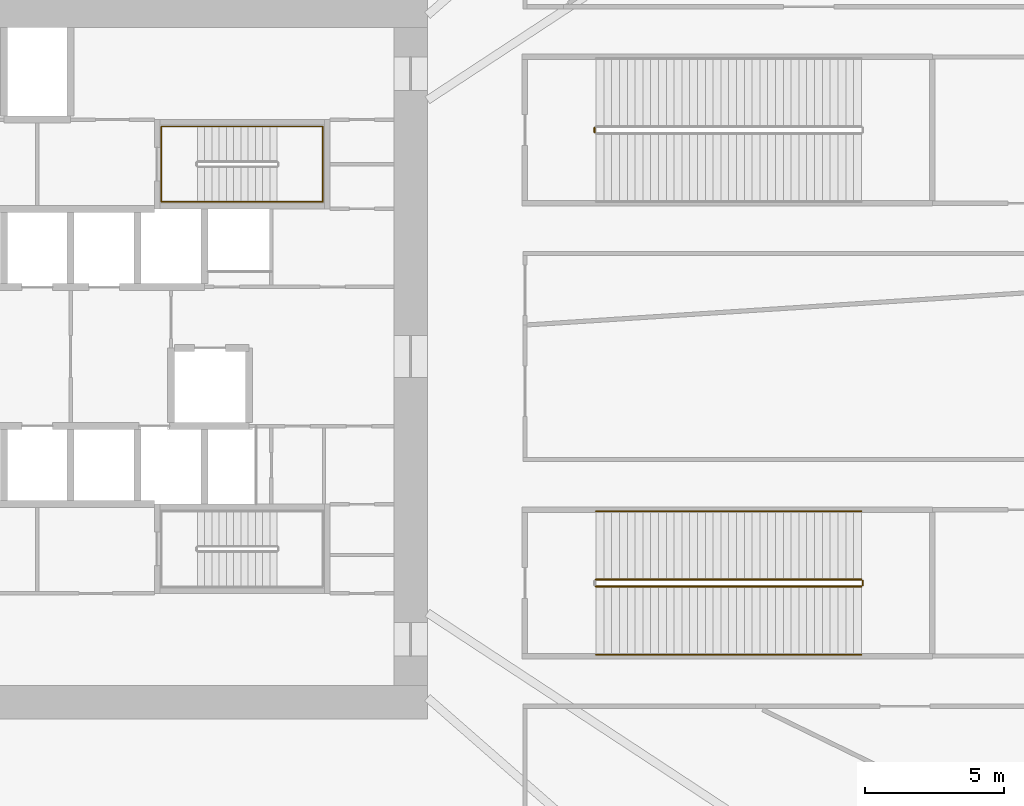
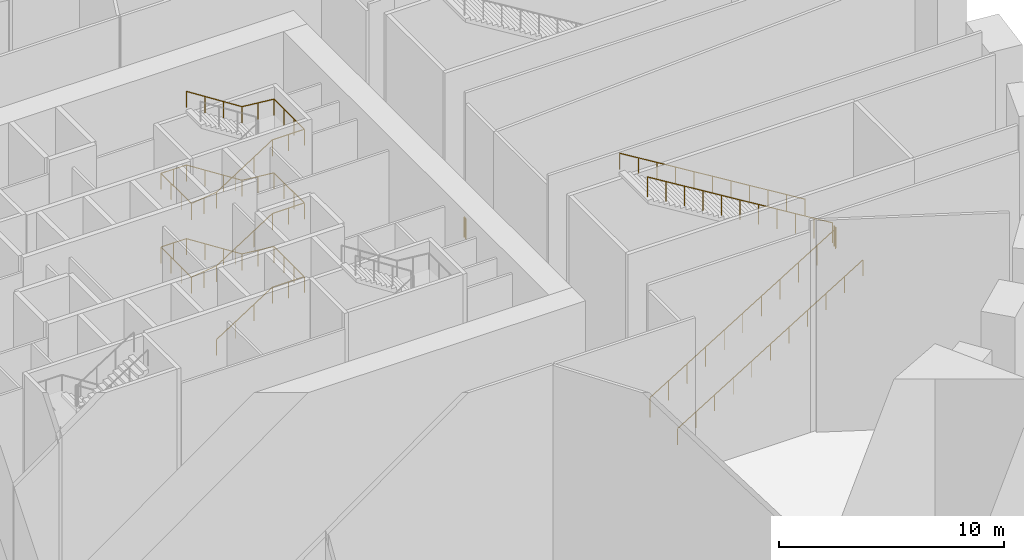
# One storey, part 19 of 21: 7 railings.
"""IFC4 building model written with IfcOpenShell, lengths in metres."""

import ifcopenshell
import ifcopenshell.guid

model = None  # the IFC model being written
_history = None  # IfcOwnerHistory: only IFC2X3 demands one
_inside = {}  # id of a spatial element -> (the spatial element, [elements in it])
_under = {}  # id of a project, library or spatial element -> (it, [spatial elements below it])
_declared = {}  # id of a project -> (the project, [libraries it declares])
_typed = {}  # id of a type object -> (the type object, [elements of that type])
_made_of = {}  # id of a material, layer set ... -> (it, [elements and type objects made of it])


def new_model(schema):
    """Start an empty IFC model of exactly this schema.

    Asked for "IFC4X3", IfcOpenShell would pick the latest addendum, in which some entities
    have other attributes; the version numbers below select the first issue.
    IFC2X3 requires an IfcOwnerHistory on every rooted entity: one is made here for all.
    """
    global model, _history
    if schema == "IFC4X3":
        model = ifcopenshell.file(schema_version=(4, 3, 0, 0))
    else:
        model = ifcopenshell.file(schema=schema)
    _inside.clear()
    _under.clear()
    _declared.clear()
    _typed.clear()
    _made_of.clear()
    _history = None
    if model.schema == "IFC2X3":
        org = make("IfcOrganization", Name="unknown")
        user = make(
            "IfcPersonAndOrganization",
            ThePerson=make("IfcPerson", FamilyName="unknown"),
            TheOrganization=org,
        )
        app = make(
            "IfcApplication",
            ApplicationDeveloper=org,
            Version="unknown",
            ApplicationFullName="unknown",
            ApplicationIdentifier="unknown",
        )
        _history = make(
            "IfcOwnerHistory",
            OwningUser=user,
            OwningApplication=app,
            ChangeAction="ADDED",
            CreationDate=0,
        )
    return model


def make(cls, **values):
    """One entity of the class cls with the attributes given. An attribute that is None is left unset."""
    return model.create_entity(
        cls, **{name: value for name, value in values.items() if value is not None}
    )


def rooted(cls, **values):
    """An entity with a GlobalId (a new one), such as an element, a storey or a relation."""
    return make(cls, GlobalId=ifcopenshell.guid.new(), OwnerHistory=_history, **values)


def si_unit(unit_type, name, prefix=None):
    """IfcSIUnit, for example si_unit("LENGTHUNIT", "METRE", prefix="MILLI")."""
    return make("IfcSIUnit", UnitType=unit_type, Prefix=prefix, Name=name)


def assignment(units):
    """IfcUnitAssignment: the units of a project."""
    return None if units is None else make("IfcUnitAssignment", Units=units)


def point(xyz):
    """IfcCartesianPoint."""
    return None if xyz is None else make("IfcCartesianPoint", Coordinates=xyz)


def direction(xyz):
    """IfcDirection."""
    return None if xyz is None else make("IfcDirection", DirectionRatios=xyz)


def frame(location, z_axis=None, x_axis=None):
    """IfcAxis2Placement3D, a coordinate frame: its origin and axes. An axis left out is left unset."""
    return make(
        "IfcAxis2Placement3D",
        Location=point(location),
        Axis=direction(z_axis),
        RefDirection=direction(x_axis),
    )


def frame_2d(location, x_axis=None):
    """IfcAxis2Placement2D, a coordinate frame in the plane: its origin and x axis."""
    return make(
        "IfcAxis2Placement2D", Location=point(location), RefDirection=direction(x_axis)
    )


def origin():
    """The frame at (0, 0, 0) with its axes left unset."""
    return frame((0.0, 0.0, 0.0))


def origin_2d():
    """The frame at (0, 0) in the plane with its x axis left unset."""
    return frame_2d((0.0, 0.0))


def place(relative_to, where):
    """IfcLocalPlacement: puts the frame where relative to a parent placement (None: the world)."""
    return make(
        "IfcLocalPlacement", PlacementRelTo=relative_to, RelativePlacement=where
    )


def context(
    kind, dimensions, precision=None, world=None, true_north=None, identifier=None
):
    """IfcGeometricRepresentationContext, for example the 3D "Model" context."""
    return make(
        "IfcGeometricRepresentationContext",
        ContextIdentifier=identifier,
        ContextType=kind,
        CoordinateSpaceDimension=dimensions,
        Precision=precision,
        WorldCoordinateSystem=world,
        TrueNorth=true_north,
    )


def subcontext(parent, identifier, kind, view, scale=None):
    """IfcGeometricRepresentationSubContext, for example "Body" below "Model"."""
    return make(
        "IfcGeometricRepresentationSubContext",
        ContextIdentifier=identifier,
        ContextType=kind,
        ParentContext=parent,
        TargetScale=scale,
        TargetView=view,
    )


def project(units=None, contexts=None):
    """IfcProject with its units and contexts."""
    return rooted(
        "IfcProject",
        Name="project",
        RepresentationContexts=contexts,
        UnitsInContext=assignment(units),
    )


def spatial(cls, under=None, at=None, **own):
    """A site, building, storey or space (cls), placed at a placement, below another one or the project."""
    s = rooted(cls, ObjectPlacement=at, **own)
    if under is not None:
        _under.setdefault(under.id(), (under, []))[1].append(s)
    return s


def profile(cls, at=None, kind="AREA", **sizes):
    """A parametric profile (cls). Its sizes go by their IFC names, for example OverallWidth=200.0."""
    return make(cls, ProfileType=kind, Position=at, **sizes)


def circle(**sizes):
    """IfcCircleProfileDef."""
    return profile("IfcCircleProfileDef", **sizes)


def extrude(swept, where, along, depth):
    """IfcExtrudedAreaSolid: the profile swept, set in the frame where, extruded along a direction by depth."""
    return make(
        "IfcExtrudedAreaSolid",
        SweptArea=swept,
        Position=where,
        ExtrudedDirection=direction(along),
        Depth=depth,
    )


def shape(context_of_items, identifier, shape_type, items):
    """IfcShapeRepresentation: the items that make up one representation, for example the "Body"."""
    return make(
        "IfcShapeRepresentation",
        ContextOfItems=context_of_items,
        RepresentationIdentifier=identifier,
        RepresentationType=shape_type,
        Items=items,
    )


def source(mapping_origin, context_of_items, identifier, shape_type, items):
    """IfcRepresentationMap: a shape defined once, which mapped items show again and again."""
    return make(
        "IfcRepresentationMap",
        MappingOrigin=mapping_origin,
        MappedRepresentation=shape(context_of_items, identifier, shape_type, items),
    )


def transform(
    local_origin,
    x_axis=None,
    y_axis=None,
    z_axis=None,
    scale=None,
    scale2=None,
    scale3=None,
    uniform=True,
):
    """IfcCartesianTransformationOperator3D, or its non-uniform kind. x_axis, y_axis, z_axis: its Axis1, 2, 3."""
    if uniform:
        return make(
            "IfcCartesianTransformationOperator3D",
            Axis1=direction(x_axis),
            Axis2=direction(y_axis),
            LocalOrigin=point(local_origin),
            Scale=scale,
            Axis3=direction(z_axis),
        )
    return make(
        "IfcCartesianTransformationOperator3DnonUniform",
        Axis1=direction(x_axis),
        Axis2=direction(y_axis),
        LocalOrigin=point(local_origin),
        Scale=scale,
        Axis3=direction(z_axis),
        Scale2=scale2,
        Scale3=scale3,
    )


def mapped(mapping_source, mapping_target):
    """IfcMappedItem: shows the shape of a source again, moved by a transform."""
    return make(
        "IfcMappedItem", MappingSource=mapping_source, MappingTarget=mapping_target
    )


def material(Name=None, Category=None):
    """IfcMaterial."""
    return make("IfcMaterial", Name=Name, Category=Category)


def made_of(thing, what):
    """Note that an element or type object is made of a material, layer set ...; save() writes the relation."""
    if what is not None:
        _made_of.setdefault(what.id(), (what, []))[1].append(thing)
    return thing


def type_object(cls, material=None, **own):
    """A type object (cls), such as IfcWallType, which elements share."""
    return made_of(rooted(cls, **own), material)


def element(
    cls,
    number,
    at=None,
    inside=None,
    cuts=None,
    type_object=None,
    material=None,
    context=None,
    identifier="Body",
    shape_type=None,
    held_by="IfcProductDefinitionShape",
    body=None,
    shapes=None,
    **own,
):
    """One element of the class cls, such as IfcWall. Its Tag is "e" and its number.

    at: its placement. inside: the storey or other place that contains it. cuts: it is an
    opening in that element (IfcRelVoidsElement). A single representation is given by context,
    identifier, shape_type and body (its items); several are given by shapes. held_by: the class
    of the entity that holds the representations. save() writes the other relations.
    """
    e = rooted(cls, Tag="e%d" % number, ObjectPlacement=at, **own)
    if body is not None:
        shapes = [shape(context, identifier, shape_type, body)]
    if shapes is not None:
        e.Representation = make(held_by, Representations=shapes)
    if inside is not None:
        _inside.setdefault(inside.id(), (inside, []))[1].append(e)
    if cuts is not None:
        rooted(
            "IfcRelVoidsElement", RelatingBuildingElement=cuts, RelatedOpeningElement=e
        )
    if type_object is not None:
        _typed.setdefault(type_object.id(), (type_object, []))[1].append(e)
    return made_of(e, material)


def aggregate(whole, parts):
    """IfcRelAggregates: a whole, such as a stair, and the parts it consists of."""
    return rooted("IfcRelAggregates", RelatingObject=whole, RelatedObjects=parts)


def save(model, path):
    """Write the relations noted so far, then the file.

    IfcRelAggregates (storeys below a building ...), IfcRelContainedInSpatialStructure (elements
    in a storey), IfcRelDefinesByType, IfcRelAssociatesMaterial and IfcRelDeclares: one each for
    every whole, place, type object, material and project.
    """
    for whole, parts in _under.values():
        aggregate(whole, parts)
    for where, things in _inside.values():
        rooted(
            "IfcRelContainedInSpatialStructure",
            RelatedElements=things,
            RelatingStructure=where,
        )
    for kind, things in _typed.values():
        rooted("IfcRelDefinesByType", RelatedObjects=things, RelatingType=kind)
    for what, things in _made_of.values():
        rooted("IfcRelAssociatesMaterial", RelatedObjects=things, RelatingMaterial=what)
    for by, libraries in _declared.values():
        rooted("IfcRelDeclares", RelatingContext=by, RelatedDefinitions=libraries)
    model.write(path)


model = new_model("IFC4")

# Units and contexts
model_context = context("Model", 3, precision=1e-05, world=origin(), true_north=direction((0.0, 1.0)))
body_context = subcontext(model_context, "Body", "Model", "MODEL_VIEW")
ifc_project = project(units=[si_unit("LENGTHUNIT", "METRE"), si_unit("AREAUNIT", "SQUARE_METRE"), si_unit("VOLUMEUNIT", "CUBIC_METRE"), si_unit("PLANEANGLEUNIT", "RADIAN"), si_unit("MASSUNIT", "GRAM", prefix="KILO")], contexts=[model_context])

# Site, building, storey
site_placement = place(None, origin())
site = spatial("IfcSite", under=ifc_project, at=site_placement, CompositionType="ELEMENT")
building_placement = place(site_placement, origin())
building = spatial("IfcBuilding", under=site, at=building_placement, Name="Embergate Tower", CompositionType="ELEMENT")
storey_placement = place(building_placement, frame((0.0, 0.0, 12.0)))
storey = spatial("IfcBuildingStorey", under=building, at=storey_placement, Name="L01", CompositionType="ELEMENT", Elevation=12.0)

# Railings
ifc_material_1 = material(Name="Stair handrail 900")
railing_type_1 = type_object("IfcRailingType", Name="Stair handrail 900", PredefinedType="HANDRAIL", material=ifc_material_1)
shared_shape_1 = source(origin(), body_context, "Body", "SweptSolid", [
    extrude(circle(Radius=0.02392578125, at=origin_2d()), frame((0.0, 0.0, 0.8759765625), z_axis=(0.841899231129, 0.0, 0.539634769658), x_axis=(0.0, 1.0, 0.0)), (0.0, 0.0, 1.0), 3.397216796875),
    extrude(circle(Radius=0.02392578125, at=origin_2d()), frame((2.860107421875, 0.0, 2.708984375), z_axis=(1.0, 0.0, 0.0), x_axis=(0.0, 1.0, 0.0)), (0.0, 0.0, 1.0), 1.639892578125),
    extrude(circle(Radius=0.02392578125, at=origin_2d()), frame((4.5, 0.0, 2.708984375), z_axis=(0.0, 1.0, 0.0), x_axis=(-1.0, 0.0, 0.0)), (0.0, 0.0, 1.0), 2.699951171875),
    extrude(circle(Radius=0.02392578125, at=origin_2d()), frame((4.5, 2.699951171875, 2.708984375), z_axis=(-0.99487010061, 0.0, 0.101160678683), x_axis=(0.0, -1.0, 0.0)), (0.0, 0.0, 1.0), 1.6484375),
    extrude(circle(Radius=0.02392578125, at=origin_2d()), frame((2.860107421875, 2.699951171875, 2.8759765625), z_axis=(-0.841899231129, 0.0, 0.539634769658), x_axis=(0.0, -1.0, 0.0)), (0.0, 0.0, 1.0), 3.397216796875),
    extrude(circle(Radius=0.02392578125, at=origin_2d()), frame((0.0, 2.699951171875, 4.708984375), z_axis=(-1.0, 0.0, 0.0), x_axis=(0.0, -1.0, 0.0)), (0.0, 0.0, 1.0), 1.300048828125),
    extrude(circle(Radius=0.02392578125, at=origin_2d()), frame((-1.300048828125, 2.699951171875, 4.708984375), z_axis=(0.0, -1.0, 0.0), x_axis=(1.0, 0.0, 0.0)), (0.0, 0.0, 1.0), 2.699951171875),
    extrude(circle(Radius=0.02392578125, at=origin_2d()), frame((-1.300048828125, 0.0, 4.708984375), z_axis=(0.991874434073, 0.0, 0.12722070206), x_axis=(0.0, 1.0, 0.0)), (0.0, 0.0, 1.0), 1.310791015625),
    extrude(circle(Radius=0.02392578125, at=origin_2d()), frame((0.0, 0.0, 4.8759765625), z_axis=(0.841899231129, 0.0, 0.539634769658), x_axis=(0.0, 1.0, 0.0)), (0.0, 0.0, 1.0), 3.397216796875),
    extrude(circle(Radius=0.02392578125, at=origin_2d()), frame((2.860107421875, 0.0, 6.708984375), z_axis=(1.0, 0.0, 0.0), x_axis=(0.0, 1.0, 0.0)), (0.0, 0.0, 1.0), 1.639892578125),
    extrude(circle(Radius=0.02392578125, at=origin_2d()), frame((4.5, 0.0, 6.708984375), z_axis=(0.0, 1.0, 0.0), x_axis=(-1.0, 0.0, 0.0)), (0.0, 0.0, 1.0), 2.699951171875),
    extrude(circle(Radius=0.02392578125, at=origin_2d()), frame((4.5, 2.699951171875, 6.708984375), z_axis=(-0.99487010061, 0.0, 0.101160678683), x_axis=(0.0, -1.0, 0.0)), (0.0, 0.0, 1.0), 1.6484375),
    extrude(circle(Radius=0.02392578125, at=origin_2d()), frame((2.860107421875, 2.699951171875, 6.8759765625), z_axis=(-0.841899231129, 0.0, 0.539634769658), x_axis=(0.0, -1.0, 0.0)), (0.0, 0.0, 1.0), 3.397216796875),
    extrude(circle(Radius=0.02392578125, at=origin_2d()), frame((0.0, 2.699951171875, 8.708984375), z_axis=(-1.0, 0.0, 0.0), x_axis=(0.0, -1.0, 0.0)), (0.0, 0.0, 1.0), 1.300048828125),
    extrude(circle(Radius=0.02392578125, at=origin_2d()), frame((-1.300048828125, 2.699951171875, 8.708984375), z_axis=(0.0, -1.0, 0.0), x_axis=(1.0, 0.0, 0.0)), (0.0, 0.0, 1.0), 2.699951171875),
    extrude(circle(Radius=0.02392578125, at=origin_2d()), frame((-1.300048828125, 0.0, 8.708984375), z_axis=(0.991874434073, 0.0, 0.12722070206), x_axis=(0.0, 1.0, 0.0)), (0.0, 0.0, 1.0), 1.310791015625),
    extrude(circle(Radius=0.02392578125, at=origin_2d()), frame((0.0, 0.0, 8.8759765625), z_axis=(0.841899231129, 0.0, 0.539634769658), x_axis=(0.0, 1.0, 0.0)), (0.0, 0.0, 1.0), 3.397216796875),
    extrude(circle(Radius=0.02392578125, at=origin_2d()), frame((2.860107421875, 0.0, 10.708984375), z_axis=(1.0, 0.0, 0.0), x_axis=(0.0, 1.0, 0.0)), (0.0, 0.0, 1.0), 1.639892578125),
    extrude(circle(Radius=0.02392578125, at=origin_2d()), frame((4.5, 0.0, 10.708984375), z_axis=(0.0, 1.0, 0.0), x_axis=(-1.0, 0.0, 0.0)), (0.0, 0.0, 1.0), 2.699951171875),
    extrude(circle(Radius=0.02392578125, at=origin_2d()), frame((4.5, 2.699951171875, 10.708984375), z_axis=(-0.99487010061, 0.0, 0.101160678683), x_axis=(0.0, -1.0, 0.0)), (0.0, 0.0, 1.0), 1.6484375),
    extrude(circle(Radius=0.02392578125, at=origin_2d()), frame((2.860107421875, 2.699951171875, 10.8759765625), z_axis=(-0.841899231129, 0.0, 0.539634769658), x_axis=(0.0, -1.0, 0.0)), (0.0, 0.0, 1.0), 3.397216796875),
    extrude(circle(Radius=0.02099609375, at=origin_2d()), origin(), (0.0, 0.0, 1.0), 0.851806640625),
    extrude(circle(Radius=0.02099609375, at=origin_2d()), frame((0.953369140625, 0.0, 0.611083984375)), (0.0, 0.0, 1.0), 0.851806640625),
    extrude(circle(Radius=0.02099609375, at=origin_2d()), frame((1.90673828125, 0.0, 1.22216796875)), (0.0, 0.0, 1.0), 0.851806640625),
    extrude(circle(Radius=0.02099609375, at=origin_2d()), frame((2.860107421875, 0.0, 1.833251953125)), (0.0, 0.0, 1.0), 0.851806640625),
    extrude(circle(Radius=0.02099609375, at=origin_2d()), frame((3.68017578125, 0.0, 1.833251953125)), (0.0, 0.0, 1.0), 0.851806640625),
    extrude(circle(Radius=0.02099609375, at=origin_2d()), frame((4.5, 0.0, 1.833251953125)), (0.0, 0.0, 1.0), 0.851806640625),
    extrude(circle(Radius=0.02099609375, at=origin_2d()), frame((4.5, 0.89990234375, 1.833251953125)), (0.0, 0.0, 1.0), 0.851806640625),
    extrude(circle(Radius=0.02099609375, at=origin_2d()), frame((4.5, 1.800048828125, 1.833251953125)), (0.0, 0.0, 1.0), 0.851806640625),
    extrude(circle(Radius=0.02099609375, at=origin_2d()), frame((4.5, 2.699951171875, 1.833251953125)), (0.0, 0.0, 1.0), 0.851806640625),
    extrude(circle(Radius=0.02099609375, at=origin_2d()), frame((3.68017578125, 2.699951171875, 1.91650390625)), (0.0, 0.0, 1.0), 0.851806640625),
    extrude(circle(Radius=0.02099609375, at=origin_2d()), frame((2.860107421875, 2.699951171875, 2.0)), (0.0, 0.0, 1.0), 0.851806640625),
    extrude(circle(Radius=0.02099609375, at=origin_2d()), frame((1.90673828125, 2.699951171875, 2.611083984375)), (0.0, 0.0, 1.0), 0.851806640625),
    extrude(circle(Radius=0.02099609375, at=origin_2d()), frame((0.953369140625, 2.699951171875, 3.22216796875)), (0.0, 0.0, 1.0), 0.851806640625),
    extrude(circle(Radius=0.02099609375, at=origin_2d()), frame((0.0, 2.699951171875, 3.833251953125)), (0.0, 0.0, 1.0), 0.851806640625),
    extrude(circle(Radius=0.02099609375, at=origin_2d()), frame((-0.64990234375, 2.699951171875, 3.833251953125)), (0.0, 0.0, 1.0), 0.851806640625),
    extrude(circle(Radius=0.02099609375, at=origin_2d()), frame((-1.300048828125, 2.699951171875, 3.833251953125)), (0.0, 0.0, 1.0), 0.851806640625),
    extrude(circle(Radius=0.02099609375, at=origin_2d()), frame((-1.300048828125, 1.800048828125, 3.833251953125)), (0.0, 0.0, 1.0), 0.851806640625),
    extrude(circle(Radius=0.02099609375, at=origin_2d()), frame((-1.300048828125, 0.89990234375, 3.833251953125)), (0.0, 0.0, 1.0), 0.851806640625),
    extrude(circle(Radius=0.02099609375, at=origin_2d()), frame((-1.300048828125, 0.0, 3.833251953125)), (0.0, 0.0, 1.0), 0.851806640625),
    extrude(circle(Radius=0.02099609375, at=origin_2d()), frame((-0.64990234375, 0.0, 3.91650390625)), (0.0, 0.0, 1.0), 0.851806640625),
    extrude(circle(Radius=0.02099609375, at=origin_2d()), frame((0.0, 0.0, 4.0)), (0.0, 0.0, 1.0), 0.851806640625),
    extrude(circle(Radius=0.02099609375, at=origin_2d()), frame((0.953369140625, 0.0, 4.611083984375)), (0.0, 0.0, 1.0), 0.851806640625),
    extrude(circle(Radius=0.02099609375, at=origin_2d()), frame((1.90673828125, 0.0, 5.22216796875)), (0.0, 0.0, 1.0), 0.851806640625),
    extrude(circle(Radius=0.02099609375, at=origin_2d()), frame((2.860107421875, 0.0, 5.833251953125)), (0.0, 0.0, 1.0), 0.851806640625),
    extrude(circle(Radius=0.02099609375, at=origin_2d()), frame((3.68017578125, 0.0, 5.833251953125)), (0.0, 0.0, 1.0), 0.851806640625),
    extrude(circle(Radius=0.02099609375, at=origin_2d()), frame((4.5, 0.0, 5.833251953125)), (0.0, 0.0, 1.0), 0.851806640625),
    extrude(circle(Radius=0.02099609375, at=origin_2d()), frame((4.5, 0.89990234375, 5.833251953125)), (0.0, 0.0, 1.0), 0.851806640625),
    extrude(circle(Radius=0.02099609375, at=origin_2d()), frame((4.5, 1.800048828125, 5.833251953125)), (0.0, 0.0, 1.0), 0.851806640625),
    extrude(circle(Radius=0.02099609375, at=origin_2d()), frame((4.5, 2.699951171875, 5.833251953125)), (0.0, 0.0, 1.0), 0.851806640625),
    extrude(circle(Radius=0.02099609375, at=origin_2d()), frame((3.68017578125, 2.699951171875, 5.91650390625)), (0.0, 0.0, 1.0), 0.851806640625),
    extrude(circle(Radius=0.02099609375, at=origin_2d()), frame((2.860107421875, 2.699951171875, 6.0)), (0.0, 0.0, 1.0), 0.851806640625),
    extrude(circle(Radius=0.02099609375, at=origin_2d()), frame((1.90673828125, 2.699951171875, 6.611083984375)), (0.0, 0.0, 1.0), 0.851806640625),
    extrude(circle(Radius=0.02099609375, at=origin_2d()), frame((0.953369140625, 2.699951171875, 7.22216796875)), (0.0, 0.0, 1.0), 0.851806640625),
    extrude(circle(Radius=0.02099609375, at=origin_2d()), frame((0.0, 2.699951171875, 7.833251953125)), (0.0, 0.0, 1.0), 0.851806640625),
    extrude(circle(Radius=0.02099609375, at=origin_2d()), frame((-0.64990234375, 2.699951171875, 7.833251953125)), (0.0, 0.0, 1.0), 0.851806640625),
    extrude(circle(Radius=0.02099609375, at=origin_2d()), frame((-1.300048828125, 2.699951171875, 7.833251953125)), (0.0, 0.0, 1.0), 0.851806640625),
    extrude(circle(Radius=0.02099609375, at=origin_2d()), frame((-1.300048828125, 1.800048828125, 7.833251953125)), (0.0, 0.0, 1.0), 0.851806640625),
    extrude(circle(Radius=0.02099609375, at=origin_2d()), frame((-1.300048828125, 0.89990234375, 7.833251953125)), (0.0, 0.0, 1.0), 0.851806640625),
    extrude(circle(Radius=0.02099609375, at=origin_2d()), frame((-1.300048828125, 0.0, 7.833251953125)), (0.0, 0.0, 1.0), 0.851806640625),
    extrude(circle(Radius=0.02099609375, at=origin_2d()), frame((-0.64990234375, 0.0, 7.91650390625)), (0.0, 0.0, 1.0), 0.851806640625),
    extrude(circle(Radius=0.02099609375, at=origin_2d()), frame((0.0, 0.0, 8.0)), (0.0, 0.0, 1.0), 0.851806640625),
    extrude(circle(Radius=0.02099609375, at=origin_2d()), frame((0.953369140625, 0.0, 8.611083984375)), (0.0, 0.0, 1.0), 0.851806640625),
    extrude(circle(Radius=0.02099609375, at=origin_2d()), frame((1.90673828125, 0.0, 9.22216796875)), (0.0, 0.0, 1.0), 0.851806640625),
    extrude(circle(Radius=0.02099609375, at=origin_2d()), frame((2.860107421875, 0.0, 9.833251953125)), (0.0, 0.0, 1.0), 0.851806640625),
    extrude(circle(Radius=0.02099609375, at=origin_2d()), frame((3.68017578125, 0.0, 9.833251953125)), (0.0, 0.0, 1.0), 0.851806640625),
    extrude(circle(Radius=0.02099609375, at=origin_2d()), frame((4.5, 0.0, 9.833251953125)), (0.0, 0.0, 1.0), 0.851806640625),
    extrude(circle(Radius=0.02099609375, at=origin_2d()), frame((4.5, 0.89990234375, 9.833251953125)), (0.0, 0.0, 1.0), 0.851806640625),
    extrude(circle(Radius=0.02099609375, at=origin_2d()), frame((4.5, 1.800048828125, 9.833251953125)), (0.0, 0.0, 1.0), 0.851806640625),
    extrude(circle(Radius=0.02099609375, at=origin_2d()), frame((4.5, 2.699951171875, 9.833251953125)), (0.0, 0.0, 1.0), 0.851806640625),
    extrude(circle(Radius=0.02099609375, at=origin_2d()), frame((3.68017578125, 2.699951171875, 9.91650390625)), (0.0, 0.0, 1.0), 0.851806640625),
    extrude(circle(Radius=0.02099609375, at=origin_2d()), frame((2.860107421875, 2.699951171875, 10.0)), (0.0, 0.0, 1.0), 0.851806640625),
    extrude(circle(Radius=0.02099609375, at=origin_2d()), frame((1.90673828125, 2.699951171875, 10.611083984375)), (0.0, 0.0, 1.0), 0.851806640625),
    extrude(circle(Radius=0.02099609375, at=origin_2d()), frame((0.953369140625, 2.699951171875, 11.22216796875)), (0.0, 0.0, 1.0), 0.851806640625),
    extrude(circle(Radius=0.02099609375, at=origin_2d()), frame((0.0, 2.699951171875, 11.833251953125)), (0.0, 0.0, 1.0), 0.851806640625),
])
railing_1_placement = place(storey_placement, frame((5.75, 5.550048828125, 0.166748046875)))
element("IfcRailing", 1, at=railing_1_placement, inside=storey, type_object=railing_type_1, Name="L01 ST2 stair handrail 1", PredefinedType="HANDRAIL", context=body_context, shape_type="MappedRepresentation", body=[
    mapped(shared_shape_1, transform((0.0, 0.0, 0.0))),
])
ifc_material_2 = material(Name="Steel", Category="steel")
railing_type_2 = type_object("IfcRailingType", Name="Podium stair guard 1100", PredefinedType="GUARDRAIL", material=ifc_material_2)
shared_shape_2 = source(origin(), body_context, "Body", "SweptSolid", [
    extrude(circle(Radius=0.02392578125, at=origin_2d()), frame((0.0, 0.0, 1.076171875), z_axis=(0.852850111455, 0.0, 0.522155807582), x_axis=(0.0, 1.0, 0.0)), (0.0, 0.0, 1.0), 11.16259765625),
    extrude(circle(Radius=0.02099609375, at=origin_2d()), origin(), (0.0, 0.0, 1.0), 1.052001953125),
    extrude(circle(Radius=0.02099609375, at=origin_2d()), frame((0.951904296875, 0.0, 0.582763671875)), (0.0, 0.0, 1.0), 1.052001953125),
    extrude(circle(Radius=0.02099609375, at=origin_2d()), frame((1.904052734375, 0.0, 1.165771484375)), (0.0, 0.0, 1.0), 1.052001953125),
    extrude(circle(Radius=0.02099609375, at=origin_2d()), frame((2.85595703125, 0.0, 1.74853515625)), (0.0, 0.0, 1.0), 1.052001953125),
    extrude(circle(Radius=0.02099609375, at=origin_2d()), frame((3.80810546875, 0.0, 2.33154296875)), (0.0, 0.0, 1.0), 1.052001953125),
    extrude(circle(Radius=0.02099609375, at=origin_2d()), frame((4.760009765625, 0.0, 2.914306640625)), (0.0, 0.0, 1.0), 1.052001953125),
    extrude(circle(Radius=0.02099609375, at=origin_2d()), frame((5.7119140625, 0.0, 3.4970703125)), (0.0, 0.0, 1.0), 1.052001953125),
    extrude(circle(Radius=0.02099609375, at=origin_2d()), frame((6.6640625, 0.0, 4.080078125)), (0.0, 0.0, 1.0), 1.052001953125),
    extrude(circle(Radius=0.02099609375, at=origin_2d()), frame((7.615966796875, 0.0, 4.662841796875)), (0.0, 0.0, 1.0), 1.052001953125),
    extrude(circle(Radius=0.02099609375, at=origin_2d()), frame((8.568115234375, 0.0, 5.245849609375)), (0.0, 0.0, 1.0), 1.052001953125),
    extrude(circle(Radius=0.02099609375, at=origin_2d()), frame((9.52001953125, 0.0, 5.82861328125)), (0.0, 0.0, 1.0), 1.052001953125),
])
railing_2_placement = place(storey_placement, frame((20.050048828125, -8.25, 0.17138671875)))
element("IfcRailing", 2, at=railing_2_placement, inside=storey, type_object=railing_type_2, Name="L01 P2 stair guard 1", PredefinedType="GUARDRAIL", context=body_context, shape_type="MappedRepresentation", body=[
    mapped(shared_shape_2, transform((0.0, 0.0, 0.0))),
])
shared_shape_3 = source(origin(), body_context, "Body", "SweptSolid", [
    extrude(circle(Radius=0.02392578125, at=origin_2d()), frame((0.0, 0.0, 1.076171875), z_axis=(0.0, 1.0, 0.0), x_axis=(-1.0, 0.0, 0.0)), (0.0, 0.0, 1.0), 0.14990234375),
    extrude(circle(Radius=0.02099609375, at=origin_2d()), origin(), (0.0, 0.0, 1.0), 1.052001953125),
    extrude(circle(Radius=0.02099609375, at=origin_2d()), frame((0.0, 0.14990234375, 0.0)), (0.0, 0.0, 1.0), 1.052001953125),
])
for number, where, name in (
    (3, (20.0, 8.050048828125, 0.0), "L01 P1 stair guard 4"),
    (4, (29.6201171875, -8.199951171875, 6.0), "L01 P2 stair guard 2"),
):
    element("IfcRailing", number, at=place(storey_placement, frame(where)), inside=storey, type_object=railing_type_2, Name=name, PredefinedType="GUARDRAIL", context=body_context, shape_type="MappedRepresentation", body=[
        mapped(shared_shape_3, transform((0.0, 0.0, 0.0))),
    ])
shared_shape_4 = source(origin(), body_context, "Body", "SweptSolid", [
    extrude(circle(Radius=0.02392578125, at=origin_2d()), frame((0.0, 0.0, 1.076171875), z_axis=(-0.852850111455, 0.0, 0.522155807582), x_axis=(0.0, -1.0, 0.0)), (0.0, 0.0, 1.0), 11.16259765625),
    extrude(circle(Radius=0.02099609375, at=origin_2d()), origin(), (0.0, 0.0, 1.0), 1.052001953125),
    extrude(circle(Radius=0.02099609375, at=origin_2d()), frame((-0.951904296875, 0.0, 0.582763671875)), (0.0, 0.0, 1.0), 1.052001953125),
    extrude(circle(Radius=0.02099609375, at=origin_2d()), frame((-1.904052734375, 0.0, 1.165771484375)), (0.0, 0.0, 1.0), 1.052001953125),
    extrude(circle(Radius=0.02099609375, at=origin_2d()), frame((-2.85595703125, 0.0, 1.74853515625)), (0.0, 0.0, 1.0), 1.052001953125),
    extrude(circle(Radius=0.02099609375, at=origin_2d()), frame((-3.80810546875, 0.0, 2.33154296875)), (0.0, 0.0, 1.0), 1.052001953125),
    extrude(circle(Radius=0.02099609375, at=origin_2d()), frame((-4.760009765625, 0.0, 2.914306640625)), (0.0, 0.0, 1.0), 1.052001953125),
    extrude(circle(Radius=0.02099609375, at=origin_2d()), frame((-5.7119140625, 0.0, 3.4970703125)), (0.0, 0.0, 1.0), 1.052001953125),
    extrude(circle(Radius=0.02099609375, at=origin_2d()), frame((-6.6640625, 0.0, 4.080078125)), (0.0, 0.0, 1.0), 1.052001953125),
    extrude(circle(Radius=0.02099609375, at=origin_2d()), frame((-7.615966796875, 0.0, 4.662841796875)), (0.0, 0.0, 1.0), 1.052001953125),
    extrude(circle(Radius=0.02099609375, at=origin_2d()), frame((-8.568115234375, 0.0, 5.245849609375)), (0.0, 0.0, 1.0), 1.052001953125),
    extrude(circle(Radius=0.02099609375, at=origin_2d()), frame((-9.52001953125, 0.0, 5.82861328125)), (0.0, 0.0, 1.0), 1.052001953125),
])
railing_3_placement = place(storey_placement, frame((29.570068359375, -8.0, 6.17138671875)))
element("IfcRailing", 5, at=railing_3_placement, inside=storey, type_object=railing_type_2, Name="L01 P2 stair guard 3", PredefinedType="GUARDRAIL", context=body_context, shape_type="MappedRepresentation", body=[
    mapped(shared_shape_4, transform((0.0, 0.0, 0.0))),
])
railing_type_3 = type_object("IfcRailingType", Name="Podium stair handrail 900", PredefinedType="HANDRAIL", material=ifc_material_2)
shared_shape_5 = source(origin(), body_context, "Body", "SweptSolid", [
    extrude(circle(Radius=0.02392578125, at=origin_2d()), frame((0.0, 0.0, 0.8759765625), z_axis=(0.852850111455, 0.0, 0.522155807582), x_axis=(0.0, 1.0, 0.0)), (0.0, 0.0, 1.0), 11.16259765625),
    extrude(circle(Radius=0.02099609375, at=origin_2d()), origin(), (0.0, 0.0, 1.0), 0.851806640625),
    extrude(circle(Radius=0.02099609375, at=origin_2d()), frame((0.951904296875, 0.0, 0.582763671875)), (0.0, 0.0, 1.0), 0.851806640625),
    extrude(circle(Radius=0.02099609375, at=origin_2d()), frame((1.904052734375, 0.0, 1.165771484375)), (0.0, 0.0, 1.0), 0.851806640625),
    extrude(circle(Radius=0.02099609375, at=origin_2d()), frame((2.85595703125, 0.0, 1.74853515625)), (0.0, 0.0, 1.0), 0.851806640625),
    extrude(circle(Radius=0.02099609375, at=origin_2d()), frame((3.80810546875, 0.0, 2.33154296875)), (0.0, 0.0, 1.0), 0.851806640625),
    extrude(circle(Radius=0.02099609375, at=origin_2d()), frame((4.760009765625, 0.0, 2.914306640625)), (0.0, 0.0, 1.0), 0.851806640625),
    extrude(circle(Radius=0.02099609375, at=origin_2d()), frame((5.7119140625, 0.0, 3.4970703125)), (0.0, 0.0, 1.0), 0.851806640625),
    extrude(circle(Radius=0.02099609375, at=origin_2d()), frame((6.6640625, 0.0, 4.080078125)), (0.0, 0.0, 1.0), 0.851806640625),
    extrude(circle(Radius=0.02099609375, at=origin_2d()), frame((7.615966796875, 0.0, 4.662841796875)), (0.0, 0.0, 1.0), 0.851806640625),
    extrude(circle(Radius=0.02099609375, at=origin_2d()), frame((8.568115234375, 0.0, 5.245849609375)), (0.0, 0.0, 1.0), 0.851806640625),
    extrude(circle(Radius=0.02099609375, at=origin_2d()), frame((9.52001953125, 0.0, 5.82861328125)), (0.0, 0.0, 1.0), 0.851806640625),
])
railing_4_placement = place(storey_placement, frame((20.050048828125, -10.699951171875, 0.17138671875)))
element("IfcRailing", 6, at=railing_4_placement, inside=storey, type_object=railing_type_3, Name="L01 P2 stair handrail 1", PredefinedType="HANDRAIL", context=body_context, shape_type="MappedRepresentation", body=[
    mapped(shared_shape_5, transform((0.0, 0.0, 0.0))),
])
shared_shape_6 = source(origin(), body_context, "Body", "SweptSolid", [
    extrude(circle(Radius=0.02392578125, at=origin_2d()), frame((0.0, 0.0, 0.8759765625), z_axis=(-0.852850111455, 0.0, 0.522155807582), x_axis=(0.0, -1.0, 0.0)), (0.0, 0.0, 1.0), 11.16259765625),
    extrude(circle(Radius=0.02099609375, at=origin_2d()), origin(), (0.0, 0.0, 1.0), 0.851806640625),
    extrude(circle(Radius=0.02099609375, at=origin_2d()), frame((-0.951904296875, 0.0, 0.582763671875)), (0.0, 0.0, 1.0), 0.851806640625),
    extrude(circle(Radius=0.02099609375, at=origin_2d()), frame((-1.904052734375, 0.0, 1.165771484375)), (0.0, 0.0, 1.0), 0.851806640625),
    extrude(circle(Radius=0.02099609375, at=origin_2d()), frame((-2.85595703125, 0.0, 1.74853515625)), (0.0, 0.0, 1.0), 0.851806640625),
    extrude(circle(Radius=0.02099609375, at=origin_2d()), frame((-3.80810546875, 0.0, 2.33154296875)), (0.0, 0.0, 1.0), 0.851806640625),
    extrude(circle(Radius=0.02099609375, at=origin_2d()), frame((-4.760009765625, 0.0, 2.914306640625)), (0.0, 0.0, 1.0), 0.851806640625),
    extrude(circle(Radius=0.02099609375, at=origin_2d()), frame((-5.7119140625, 0.0, 3.4970703125)), (0.0, 0.0, 1.0), 0.851806640625),
    extrude(circle(Radius=0.02099609375, at=origin_2d()), frame((-6.6640625, 0.0, 4.080078125)), (0.0, 0.0, 1.0), 0.851806640625),
    extrude(circle(Radius=0.02099609375, at=origin_2d()), frame((-7.615966796875, 0.0, 4.662841796875)), (0.0, 0.0, 1.0), 0.851806640625),
    extrude(circle(Radius=0.02099609375, at=origin_2d()), frame((-8.568115234375, 0.0, 5.245849609375)), (0.0, 0.0, 1.0), 0.851806640625),
    extrude(circle(Radius=0.02099609375, at=origin_2d()), frame((-9.52001953125, 0.0, 5.82861328125)), (0.0, 0.0, 1.0), 0.851806640625),
])
railing_5_placement = place(storey_placement, frame((29.570068359375, -5.550048828125, 6.17138671875)))
element("IfcRailing", 7, at=railing_5_placement, inside=storey, type_object=railing_type_3, Name="L01 P2 stair handrail 2", PredefinedType="HANDRAIL", context=body_context, shape_type="MappedRepresentation", body=[
    mapped(shared_shape_6, transform((0.0, 0.0, 0.0))),
])

save(model, "model.ifc")
